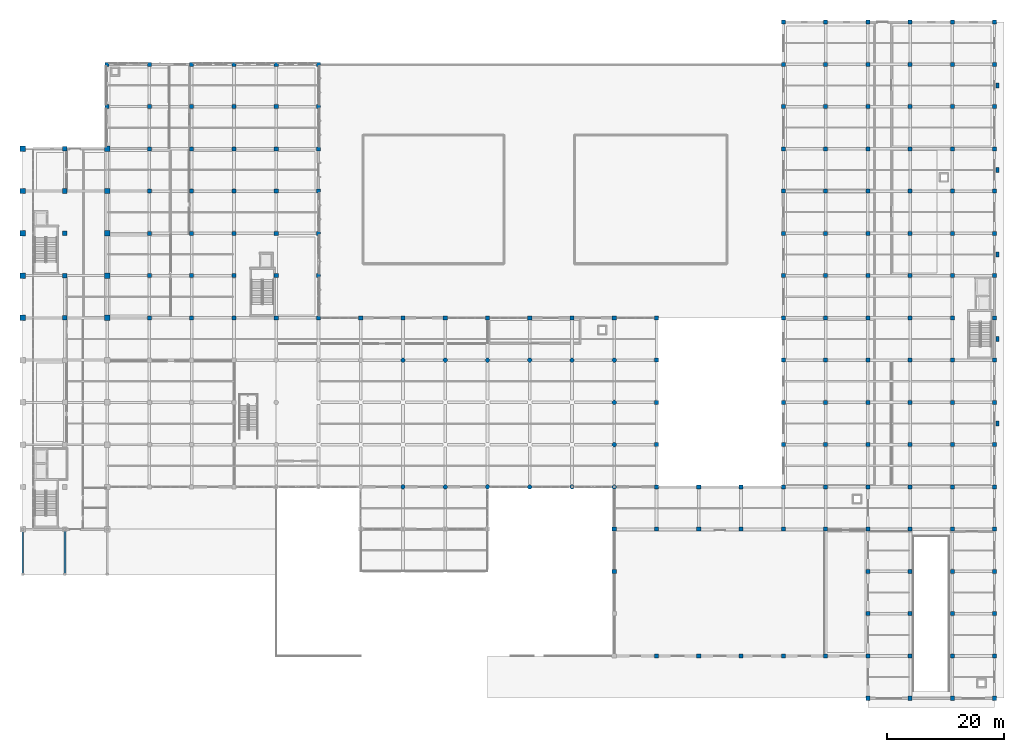
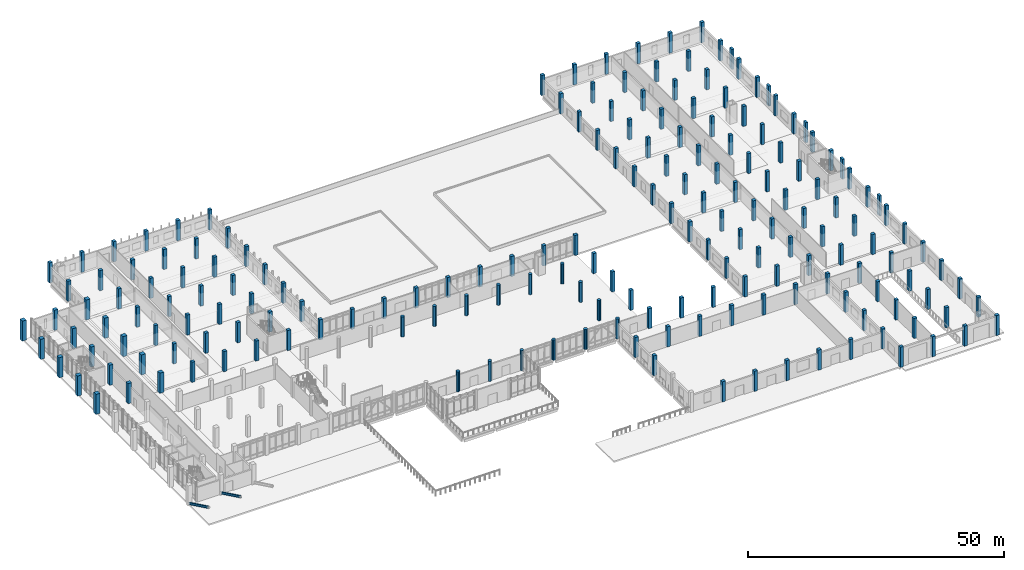
# One storey, part 6 of 59: 189 columns, 2 members.
"""IFC4 building model written with IfcOpenShell, lengths in metres."""

from ifc_helpers import new_model, si_unit, direction, frame, origin, origin_2d, place, context, subcontext, project, spatial, rectangle, circle, i_section, extrude, material, material_profile, profile_set, type_object, element, save


model = new_model("IFC4")

# Units and contexts
model_context = context("Model", 3, precision=1e-05, world=origin(), true_north=direction((0.0, 1.0)))
body_context = subcontext(model_context, "Body", "Model", "MODEL_VIEW")
ifc_project = project(units=[si_unit("LENGTHUNIT", "METRE"), si_unit("AREAUNIT", "SQUARE_METRE"), si_unit("VOLUMEUNIT", "CUBIC_METRE"), si_unit("PLANEANGLEUNIT", "RADIAN"), si_unit("MASSUNIT", "GRAM", prefix="KILO")], contexts=[model_context])

# Site, building, storey
site_placement = place(None, origin())
site = spatial("IfcSite", under=ifc_project, at=site_placement, CompositionType="ELEMENT")
building_placement = place(site_placement, origin())
building = spatial("IfcBuilding", under=site, at=building_placement, Name="Valkovuoma Quantum and Materials Research Institute", CompositionType="ELEMENT")
storey_placement = place(building_placement, origin())
storey = spatial("IfcBuildingStorey", under=building, at=storey_placement, Name="L00", CompositionType="ELEMENT", Elevation=0.0)

# Columns
ifc_material_1 = material(Name="Concrete C40/50", Category="concrete")
ifc_material_profile_1 = material_profile(ifc_material_1, rectangle(XDim=0.5, YDim=0.89990234375, at=origin_2d()), Name="Concrete C40/50")
ifc_profile_set_1 = profile_set([ifc_material_profile_1], Name="Concrete C40/50")
column_type_1 = type_object("IfcColumnType", Name="Col-C-PIL900", PredefinedType="PILASTER", material=ifc_profile_set_1)
for number, where, z_axis, x_axis, name in (
    (1, (166.080078125, 46.800048828125, 0.0), (0.0, 0.0, 1.0), (1.0, 0.0, 0.0), "L00 service spine pilaster 01"),
    (2, (166.080078125, 61.199951171875, 0.0), (0.0, 0.0, 1.0), (1.0, 0.0, 0.0), "L00 service spine pilaster 02"),
    (3, (166.080078125, 75.60009765625, 0.0), (0.0, 0.0, 1.0), (1.0, 0.0, 0.0), "L00 service spine pilaster 03"),
    (4, (166.080078125, 90.0, 0.0), (0.0, 0.0, 1.0), (1.0, 0.0, 0.0), "L00 service spine pilaster 04"),
    (5, (166.080078125, 104.39990234375, 0.0), (0.0, 0.0, 1.0), (1.0, 0.0, 0.0), "L00 service spine pilaster 05"),
):
    element("IfcColumn", number, at=place(storey_placement, frame(where, z_axis=z_axis, x_axis=x_axis)), inside=storey, type_object=column_type_1, Name=name, PredefinedType="PILASTER", context=body_context, shape_type="SweptSolid", body=[
        extrude(rectangle(XDim=0.5, YDim=0.89990234375, at=origin_2d()), origin(), (0.0, 0.0, 1.0), 4.800048828125),
    ])
ifc_material_2 = material(Name="Concrete C40/50", Category="concrete")
ifc_material_profile_2 = material_profile(ifc_material_2, rectangle(XDim=0.699951171875, YDim=0.699951171875, at=origin_2d()), Name="Concrete C40/50")
ifc_profile_set_2 = profile_set([ifc_material_profile_2], Name="Concrete C40/50")
column_type_2 = type_object("IfcColumnType", Name="Col-C-RC700", PredefinedType="COLUMN", material=ifc_profile_set_2)
for number, where, z_axis, x_axis, name in (
    (6, (14.39990234375, 100.800048828125, 0.0), (0.0, 0.0, 1.0), (1.0, 0.0, 0.0), "L00 column 03Q"),
    (7, (14.39990234375, 108.0, 0.0), (0.0, 0.0, 1.0), (1.0, 0.0, 0.0), "L00 column 03R"),
    (8, (21.60009765625, 64.800048828125, 0.0), (0.0, 0.0, 1.0), (1.0, 0.0, 0.0), "L00 column 04K"),
    (9, (21.60009765625, 72.0, 0.0), (0.0, 0.0, 1.0), (1.0, 0.0, 0.0), "L00 column 04L"),
    (10, (21.60009765625, 79.199951171875, 0.0), (0.0, 0.0, 1.0), (1.0, 0.0, 0.0), "L00 column 04M"),
    (11, (21.60009765625, 86.39990234375, 0.0), (0.0, 0.0, 1.0), (1.0, 0.0, 0.0), "L00 column 04N"),
    (12, (21.60009765625, 93.60009765625, 0.0), (0.0, 0.0, 1.0), (1.0, 0.0, 0.0), "L00 column 04P"),
    (13, (21.60009765625, 100.800048828125, 0.0), (0.0, 0.0, 1.0), (1.0, 0.0, 0.0), "L00 column 04Q"),
    (14, (21.60009765625, 108.0, 0.0), (0.0, 0.0, 1.0), (1.0, 0.0, 0.0), "L00 column 04R"),
    (15, (28.800048828125, 64.800048828125, 0.0), (0.0, 0.0, 1.0), (1.0, 0.0, 0.0), "L00 column 05K"),
    (16, (28.800048828125, 72.0, 0.0), (0.0, 0.0, 1.0), (1.0, 0.0, 0.0), "L00 column 05L"),
    (17, (28.800048828125, 79.199951171875, 0.0), (0.0, 0.0, 1.0), (1.0, 0.0, 0.0), "L00 column 05M"),
    (18, (28.800048828125, 86.39990234375, 0.0), (0.0, 0.0, 1.0), (1.0, 0.0, 0.0), "L00 column 05N"),
    (19, (28.800048828125, 93.60009765625, 0.0), (0.0, 0.0, 1.0), (1.0, 0.0, 0.0), "L00 column 05P"),
    (20, (28.800048828125, 100.800048828125, 0.0), (0.0, 0.0, 1.0), (1.0, 0.0, 0.0), "L00 column 05Q"),
    (21, (28.800048828125, 108.0, 0.0), (0.0, 0.0, 1.0), (1.0, 0.0, 0.0), "L00 column 05R"),
    (22, (36.0, 64.800048828125, 0.0), (0.0, 0.0, 1.0), (1.0, 0.0, 0.0), "L00 column 06K"),
    (23, (36.0, 72.0, 0.0), (0.0, 0.0, 1.0), (1.0, 0.0, 0.0), "L00 column 06L"),
    (24, (36.0, 79.199951171875, 0.0), (0.0, 0.0, 1.0), (1.0, 0.0, 0.0), "L00 column 06M"),
    (25, (36.0, 86.39990234375, 0.0), (0.0, 0.0, 1.0), (1.0, 0.0, 0.0), "L00 column 06N"),
    (26, (36.0, 93.60009765625, 0.0), (0.0, 0.0, 1.0), (1.0, 0.0, 0.0), "L00 column 06P"),
    (27, (36.0, 100.800048828125, 0.0), (0.0, 0.0, 1.0), (1.0, 0.0, 0.0), "L00 column 06Q"),
    (28, (36.0, 108.0, 0.0), (0.0, 0.0, 1.0), (1.0, 0.0, 0.0), "L00 column 06R"),
    (29, (43.199951171875, 64.800048828125, 0.0), (0.0, 0.0, 1.0), (1.0, 0.0, 0.0), "L00 column 07K"),
    (30, (43.199951171875, 72.0, 0.0), (0.0, 0.0, 1.0), (1.0, 0.0, 0.0), "L00 column 07L"),
    (31, (43.199951171875, 79.199951171875, 0.0), (0.0, 0.0, 1.0), (1.0, 0.0, 0.0), "L00 column 07M"),
    (32, (43.199951171875, 86.39990234375, 0.0), (0.0, 0.0, 1.0), (1.0, 0.0, 0.0), "L00 column 07N"),
    (33, (43.199951171875, 93.60009765625, 0.0), (0.0, 0.0, 1.0), (1.0, 0.0, 0.0), "L00 column 07P"),
    (34, (43.199951171875, 100.800048828125, 0.0), (0.0, 0.0, 1.0), (1.0, 0.0, 0.0), "L00 column 07Q"),
    (35, (43.199951171875, 108.0, 0.0), (0.0, 0.0, 1.0), (1.0, 0.0, 0.0), "L00 column 07R"),
    (36, (50.39990234375, 64.800048828125, 0.0), (0.0, 0.0, 1.0), (1.0, 0.0, 0.0), "L00 column 08K"),
    (37, (50.39990234375, 72.0, 0.0), (0.0, 0.0, 1.0), (1.0, 0.0, 0.0), "L00 column 08L"),
    (38, (50.39990234375, 79.199951171875, 0.0), (0.0, 0.0, 1.0), (1.0, 0.0, 0.0), "L00 column 08M"),
    (39, (50.39990234375, 86.39990234375, 0.0), (0.0, 0.0, 1.0), (1.0, 0.0, 0.0), "L00 column 08N"),
    (40, (50.39990234375, 93.60009765625, 0.0), (0.0, 0.0, 1.0), (1.0, 0.0, 0.0), "L00 column 08P"),
    (41, (50.39990234375, 100.800048828125, 0.0), (0.0, 0.0, 1.0), (1.0, 0.0, 0.0), "L00 column 08Q"),
    (42, (50.39990234375, 108.0, 0.0), (0.0, 0.0, 1.0), (1.0, 0.0, 0.0), "L00 column 08R"),
    (43, (57.60009765625, 64.800048828125, 0.0), (0.0, 0.0, 1.0), (1.0, 0.0, 0.0), "L00 column 09K"),
    (44, (64.800048828125, 64.800048828125, 0.0), (0.0, 0.0, 1.0), (1.0, 0.0, 0.0), "L00 column 10K"),
    (45, (72.0, 64.800048828125, 0.0), (0.0, 0.0, 1.0), (1.0, 0.0, 0.0), "L00 column 11K"),
    (46, (79.199951171875, 64.800048828125, 0.0), (0.0, 0.0, 1.0), (1.0, 0.0, 0.0), "L00 column 12K"),
    (47, (86.39990234375, 64.800048828125, 0.0), (0.0, 0.0, 1.0), (1.0, 0.0, 0.0), "L00 column 13K"),
    (48, (93.60009765625, 64.800048828125, 0.0), (0.0, 0.0, 1.0), (1.0, 0.0, 0.0), "L00 column 14K"),
    (49, (100.800048828125, 21.60009765625, 0.0), (0.0, 0.0, 1.0), (1.0, 0.0, 0.0), "L00 column 15D"),
    (50, (100.800048828125, 28.800048828125, 0.0), (0.0, 0.0, 1.0), (1.0, 0.0, 0.0), "L00 column 15E"),
    (51, (100.800048828125, 64.800048828125, 0.0), (0.0, 0.0, 1.0), (1.0, 0.0, 0.0), "L00 column 15K"),
    (52, (108.0, 7.199951171875, 0.0), (0.0, 0.0, 1.0), (1.0, 0.0, 0.0), "L00 column 16B"),
    (53, (108.0, 28.800048828125, 0.0), (0.0, 0.0, 1.0), (1.0, 0.0, 0.0), "L00 column 16E"),
    (54, (108.0, 36.0, 0.0), (0.0, 0.0, 1.0), (1.0, 0.0, 0.0), "L00 column 16F"),
    (55, (108.0, 43.199951171875, 0.0), (0.0, 0.0, 1.0), (1.0, 0.0, 0.0), "L00 column 16G"),
    (56, (108.0, 50.39990234375, 0.0), (0.0, 0.0, 1.0), (1.0, 0.0, 0.0), "L00 column 16H"),
    (57, (108.0, 57.60009765625, 0.0), (0.0, 0.0, 1.0), (1.0, 0.0, 0.0), "L00 column 16J"),
    (58, (108.0, 64.800048828125, 0.0), (0.0, 0.0, 1.0), (1.0, 0.0, 0.0), "L00 column 16K"),
    (59, (115.199951171875, 7.199951171875, 0.0), (0.0, 0.0, 1.0), (1.0, 0.0, 0.0), "L00 column 17B"),
    (60, (115.199951171875, 28.800048828125, 0.0), (0.0, 0.0, 1.0), (1.0, 0.0, 0.0), "L00 column 17E"),
    (61, (115.199951171875, 36.0, 0.0), (0.0, 0.0, 1.0), (1.0, 0.0, 0.0), "L00 column 17F"),
    (62, (122.39990234375, 7.199951171875, 0.0), (0.0, 0.0, 1.0), (1.0, 0.0, 0.0), "L00 column 18B"),
    (63, (122.39990234375, 28.800048828125, 0.0), (0.0, 0.0, 1.0), (1.0, 0.0, 0.0), "L00 column 18E"),
    (64, (122.39990234375, 36.0, 0.0), (0.0, 0.0, 1.0), (1.0, 0.0, 0.0), "L00 column 18F"),
    (65, (129.60009765625, 7.199951171875, 0.0), (0.0, 0.0, 1.0), (1.0, 0.0, 0.0), "L00 column 19B"),
    (66, (129.60009765625, 28.800048828125, 0.0), (0.0, 0.0, 1.0), (1.0, 0.0, 0.0), "L00 column 19E"),
    (67, (129.60009765625, 36.0, 0.0), (0.0, 0.0, 1.0), (1.0, 0.0, 0.0), "L00 column 19F"),
    (68, (129.60009765625, 43.199951171875, 0.0), (0.0, 0.0, 1.0), (1.0, 0.0, 0.0), "L00 column 19G"),
    (69, (129.60009765625, 50.39990234375, 0.0), (0.0, 0.0, 1.0), (1.0, 0.0, 0.0), "L00 column 19H"),
    (70, (129.60009765625, 57.60009765625, 0.0), (0.0, 0.0, 1.0), (1.0, 0.0, 0.0), "L00 column 19J"),
    (71, (129.60009765625, 64.800048828125, 0.0), (0.0, 0.0, 1.0), (1.0, 0.0, 0.0), "L00 column 19K"),
    (72, (129.60009765625, 72.0, 0.0), (0.0, 0.0, 1.0), (1.0, 0.0, 0.0), "L00 column 19L"),
    (73, (129.60009765625, 79.199951171875, 0.0), (0.0, 0.0, 1.0), (1.0, 0.0, 0.0), "L00 column 19M"),
    (74, (129.60009765625, 86.39990234375, 0.0), (0.0, 0.0, 1.0), (1.0, 0.0, 0.0), "L00 column 19N"),
    (75, (129.60009765625, 93.60009765625, 0.0), (0.0, 0.0, 1.0), (1.0, 0.0, 0.0), "L00 column 19P"),
    (76, (129.60009765625, 100.800048828125, 0.0), (0.0, 0.0, 1.0), (1.0, 0.0, 0.0), "L00 column 19Q"),
    (77, (129.60009765625, 108.0, 0.0), (0.0, 0.0, 1.0), (1.0, 0.0, 0.0), "L00 column 19R"),
    (78, (129.60009765625, 115.199951171875, 0.0), (0.0, 0.0, 1.0), (1.0, 0.0, 0.0), "L00 column 19S"),
    (79, (136.800048828125, 7.199951171875, 0.0), (0.0, 0.0, 1.0), (1.0, 0.0, 0.0), "L00 column 20B"),
    (80, (136.800048828125, 28.800048828125, 0.0), (0.0, 0.0, 1.0), (1.0, 0.0, 0.0), "L00 column 20E"),
    (81, (136.800048828125, 36.0, 0.0), (0.0, 0.0, 1.0), (1.0, 0.0, 0.0), "L00 column 20F"),
    (82, (136.800048828125, 43.199951171875, 0.0), (0.0, 0.0, 1.0), (1.0, 0.0, 0.0), "L00 column 20G"),
    (83, (136.800048828125, 50.39990234375, 0.0), (0.0, 0.0, 1.0), (1.0, 0.0, 0.0), "L00 column 20H"),
    (84, (136.800048828125, 57.60009765625, 0.0), (0.0, 0.0, 1.0), (1.0, 0.0, 0.0), "L00 column 20J"),
    (85, (136.800048828125, 64.800048828125, 0.0), (0.0, 0.0, 1.0), (1.0, 0.0, 0.0), "L00 column 20K"),
    (86, (136.800048828125, 72.0, 0.0), (0.0, 0.0, 1.0), (1.0, 0.0, 0.0), "L00 column 20L"),
    (87, (136.800048828125, 79.199951171875, 0.0), (0.0, 0.0, 1.0), (1.0, 0.0, 0.0), "L00 column 20M"),
    (88, (136.800048828125, 86.39990234375, 0.0), (0.0, 0.0, 1.0), (1.0, 0.0, 0.0), "L00 column 20N"),
    (89, (136.800048828125, 93.60009765625, 0.0), (0.0, 0.0, 1.0), (1.0, 0.0, 0.0), "L00 column 20P"),
    (90, (136.800048828125, 100.800048828125, 0.0), (0.0, 0.0, 1.0), (1.0, 0.0, 0.0), "L00 column 20Q"),
    (91, (136.800048828125, 108.0, 0.0), (0.0, 0.0, 1.0), (1.0, 0.0, 0.0), "L00 column 20R"),
    (92, (136.800048828125, 115.199951171875, 0.0), (0.0, 0.0, 1.0), (1.0, 0.0, 0.0), "L00 column 20S"),
    (93, (144.0, 0.0, 0.0), (0.0, 0.0, 1.0), (1.0, 0.0, 0.0), "L00 column 21A"),
    (94, (144.0, 7.199951171875, 0.0), (0.0, 0.0, 1.0), (1.0, 0.0, 0.0), "L00 column 21B"),
    (95, (144.0, 14.39990234375, 0.0), (0.0, 0.0, 1.0), (1.0, 0.0, 0.0), "L00 column 21C"),
    (96, (144.0, 21.60009765625, 0.0), (0.0, 0.0, 1.0), (1.0, 0.0, 0.0), "L00 column 21D"),
    (97, (144.0, 28.800048828125, 0.0), (0.0, 0.0, 1.0), (1.0, 0.0, 0.0), "L00 column 21E"),
    (98, (144.0, 36.0, 0.0), (0.0, 0.0, 1.0), (1.0, 0.0, 0.0), "L00 column 21F"),
    (99, (144.0, 43.199951171875, 0.0), (0.0, 0.0, 1.0), (1.0, 0.0, 0.0), "L00 column 21G"),
    (100, (144.0, 50.39990234375, 0.0), (0.0, 0.0, 1.0), (1.0, 0.0, 0.0), "L00 column 21H"),
    (101, (144.0, 57.60009765625, 0.0), (0.0, 0.0, 1.0), (1.0, 0.0, 0.0), "L00 column 21J"),
    (102, (144.0, 64.800048828125, 0.0), (0.0, 0.0, 1.0), (1.0, 0.0, 0.0), "L00 column 21K"),
    (103, (144.0, 72.0, 0.0), (0.0, 0.0, 1.0), (1.0, 0.0, 0.0), "L00 column 21L"),
    (104, (144.0, 79.199951171875, 0.0), (0.0, 0.0, 1.0), (1.0, 0.0, 0.0), "L00 column 21M"),
    (105, (144.0, 86.39990234375, 0.0), (0.0, 0.0, 1.0), (1.0, 0.0, 0.0), "L00 column 21N"),
    (106, (144.0, 93.60009765625, 0.0), (0.0, 0.0, 1.0), (1.0, 0.0, 0.0), "L00 column 21P"),
    (107, (144.0, 100.800048828125, 0.0), (0.0, 0.0, 1.0), (1.0, 0.0, 0.0), "L00 column 21Q"),
    (108, (144.0, 108.0, 0.0), (0.0, 0.0, 1.0), (1.0, 0.0, 0.0), "L00 column 21R"),
    (109, (144.0, 115.199951171875, 0.0), (0.0, 0.0, 1.0), (1.0, 0.0, 0.0), "L00 column 21S"),
    (110, (151.199951171875, 0.0, 0.0), (0.0, 0.0, 1.0), (1.0, 0.0, 0.0), "L00 column 22A"),
    (111, (151.199951171875, 7.199951171875, 0.0), (0.0, 0.0, 1.0), (1.0, 0.0, 0.0), "L00 column 22B"),
    (112, (151.199951171875, 14.39990234375, 0.0), (0.0, 0.0, 1.0), (1.0, 0.0, 0.0), "L00 column 22C"),
    (113, (151.199951171875, 21.60009765625, 0.0), (0.0, 0.0, 1.0), (1.0, 0.0, 0.0), "L00 column 22D"),
    (114, (151.199951171875, 28.800048828125, 0.0), (0.0, 0.0, 1.0), (1.0, 0.0, 0.0), "L00 column 22E"),
    (115, (151.199951171875, 36.0, 0.0), (0.0, 0.0, 1.0), (1.0, 0.0, 0.0), "L00 column 22F"),
    (116, (151.199951171875, 43.199951171875, 0.0), (0.0, 0.0, 1.0), (1.0, 0.0, 0.0), "L00 column 22G"),
    (117, (151.199951171875, 50.39990234375, 0.0), (0.0, 0.0, 1.0), (1.0, 0.0, 0.0), "L00 column 22H"),
    (118, (151.199951171875, 57.60009765625, 0.0), (0.0, 0.0, 1.0), (1.0, 0.0, 0.0), "L00 column 22J"),
    (119, (151.199951171875, 64.800048828125, 0.0), (0.0, 0.0, 1.0), (1.0, 0.0, 0.0), "L00 column 22K"),
    (120, (151.199951171875, 72.0, 0.0), (0.0, 0.0, 1.0), (1.0, 0.0, 0.0), "L00 column 22L"),
    (121, (151.199951171875, 79.199951171875, 0.0), (0.0, 0.0, 1.0), (1.0, 0.0, 0.0), "L00 column 22M"),
    (122, (151.199951171875, 86.39990234375, 0.0), (0.0, 0.0, 1.0), (1.0, 0.0, 0.0), "L00 column 22N"),
    (123, (151.199951171875, 93.60009765625, 0.0), (0.0, 0.0, 1.0), (1.0, 0.0, 0.0), "L00 column 22P"),
    (124, (151.199951171875, 100.800048828125, 0.0), (0.0, 0.0, 1.0), (1.0, 0.0, 0.0), "L00 column 22Q"),
    (125, (151.199951171875, 108.0, 0.0), (0.0, 0.0, 1.0), (1.0, 0.0, 0.0), "L00 column 22R"),
    (126, (151.199951171875, 115.199951171875, 0.0), (0.0, 0.0, 1.0), (1.0, 0.0, 0.0), "L00 column 22S"),
    (127, (158.39990234375, 0.0, 0.0), (0.0, 0.0, 1.0), (1.0, 0.0, 0.0), "L00 column 23A"),
    (128, (158.39990234375, 7.199951171875, 0.0), (0.0, 0.0, 1.0), (1.0, 0.0, 0.0), "L00 column 23B"),
    (129, (158.39990234375, 14.39990234375, 0.0), (0.0, 0.0, 1.0), (1.0, 0.0, 0.0), "L00 column 23C"),
    (130, (158.39990234375, 21.60009765625, 0.0), (0.0, 0.0, 1.0), (1.0, 0.0, 0.0), "L00 column 23D"),
    (131, (158.39990234375, 28.800048828125, 0.0), (0.0, 0.0, 1.0), (1.0, 0.0, 0.0), "L00 column 23E"),
    (132, (158.39990234375, 36.0, 0.0), (0.0, 0.0, 1.0), (1.0, 0.0, 0.0), "L00 column 23F"),
    (133, (158.39990234375, 43.199951171875, 0.0), (0.0, 0.0, 1.0), (1.0, 0.0, 0.0), "L00 column 23G"),
    (134, (158.39990234375, 50.39990234375, 0.0), (0.0, 0.0, 1.0), (1.0, 0.0, 0.0), "L00 column 23H"),
    (135, (158.39990234375, 57.60009765625, 0.0), (0.0, 0.0, 1.0), (1.0, 0.0, 0.0), "L00 column 23J"),
    (136, (158.39990234375, 64.800048828125, 0.0), (0.0, 0.0, 1.0), (1.0, 0.0, 0.0), "L00 column 23K"),
    (137, (158.39990234375, 72.0, 0.0), (0.0, 0.0, 1.0), (1.0, 0.0, 0.0), "L00 column 23L"),
    (138, (158.39990234375, 79.199951171875, 0.0), (0.0, 0.0, 1.0), (1.0, 0.0, 0.0), "L00 column 23M"),
    (139, (158.39990234375, 86.39990234375, 0.0), (0.0, 0.0, 1.0), (1.0, 0.0, 0.0), "L00 column 23N"),
    (140, (158.39990234375, 93.60009765625, 0.0), (0.0, 0.0, 1.0), (1.0, 0.0, 0.0), "L00 column 23P"),
    (141, (158.39990234375, 100.800048828125, 0.0), (0.0, 0.0, 1.0), (1.0, 0.0, 0.0), "L00 column 23Q"),
    (142, (158.39990234375, 108.0, 0.0), (0.0, 0.0, 1.0), (1.0, 0.0, 0.0), "L00 column 23R"),
    (143, (158.39990234375, 115.199951171875, 0.0), (0.0, 0.0, 1.0), (1.0, 0.0, 0.0), "L00 column 23S"),
    (144, (165.60009765625, 0.0, 0.0), (0.0, 0.0, 1.0), (1.0, 0.0, 0.0), "L00 column 24A"),
    (145, (165.60009765625, 7.199951171875, 0.0), (0.0, 0.0, 1.0), (1.0, 0.0, 0.0), "L00 column 24B"),
    (146, (165.60009765625, 14.39990234375, 0.0), (0.0, 0.0, 1.0), (1.0, 0.0, 0.0), "L00 column 24C"),
    (147, (165.60009765625, 21.60009765625, 0.0), (0.0, 0.0, 1.0), (1.0, 0.0, 0.0), "L00 column 24D"),
    (148, (165.60009765625, 28.800048828125, 0.0), (0.0, 0.0, 1.0), (1.0, 0.0, 0.0), "L00 column 24E"),
    (149, (165.60009765625, 36.0, 0.0), (0.0, 0.0, 1.0), (1.0, 0.0, 0.0), "L00 column 24F"),
    (150, (165.60009765625, 43.199951171875, 0.0), (0.0, 0.0, 1.0), (1.0, 0.0, 0.0), "L00 column 24G"),
    (151, (165.60009765625, 50.39990234375, 0.0), (0.0, 0.0, 1.0), (1.0, 0.0, 0.0), "L00 column 24H"),
    (152, (165.60009765625, 57.60009765625, 0.0), (0.0, 0.0, 1.0), (1.0, 0.0, 0.0), "L00 column 24J"),
    (153, (165.60009765625, 64.800048828125, 0.0), (0.0, 0.0, 1.0), (1.0, 0.0, 0.0), "L00 column 24K"),
    (154, (165.60009765625, 72.0, 0.0), (0.0, 0.0, 1.0), (1.0, 0.0, 0.0), "L00 column 24L"),
    (155, (165.60009765625, 79.199951171875, 0.0), (0.0, 0.0, 1.0), (1.0, 0.0, 0.0), "L00 column 24M"),
    (156, (165.60009765625, 86.39990234375, 0.0), (0.0, 0.0, 1.0), (1.0, 0.0, 0.0), "L00 column 24N"),
    (157, (165.60009765625, 93.60009765625, 0.0), (0.0, 0.0, 1.0), (1.0, 0.0, 0.0), "L00 column 24P"),
    (158, (165.60009765625, 100.800048828125, 0.0), (0.0, 0.0, 1.0), (1.0, 0.0, 0.0), "L00 column 24Q"),
    (159, (165.60009765625, 108.0, 0.0), (0.0, 0.0, 1.0), (1.0, 0.0, 0.0), "L00 column 24R"),
    (160, (165.60009765625, 115.199951171875, 0.0), (0.0, 0.0, 1.0), (1.0, 0.0, 0.0), "L00 column 24S"),
):
    element("IfcColumn", number, at=place(storey_placement, frame(where, z_axis=z_axis, x_axis=x_axis)), inside=storey, type_object=column_type_2, Name=name, PredefinedType="COLUMN", context=body_context, shape_type="SweptSolid", body=[
        extrude(rectangle(XDim=0.699951171875, YDim=0.699951171875, at=origin_2d()), origin(), (0.0, 0.0, 1.0), 4.800048828125),
    ])
ifc_material_3 = material(Name="Concrete C50/60", Category="concrete")
ifc_material_profile_3 = material_profile(ifc_material_3, rectangle(XDim=0.800048828125, YDim=0.800048828125, at=origin_2d()), Name="Concrete C50/60")
ifc_profile_set_3 = profile_set([ifc_material_profile_3], Name="Concrete C50/60")
column_type_3 = type_object("IfcColumnType", Name="Col-C-RC800", PredefinedType="COLUMN", material=ifc_profile_set_3)
for number, where, z_axis, x_axis, name in (
    (161, (7.199951171875, 64.800048828125, 0.0), (0.0, 0.0, 1.0), (1.0, 0.0, 0.0), "L00 column 02K"),
    (162, (7.199951171875, 72.0, 0.0), (0.0, 0.0, 1.0), (1.0, 0.0, 0.0), "L00 column 02L"),
    (163, (7.199951171875, 79.199951171875, 0.0), (0.0, 0.0, 1.0), (1.0, 0.0, 0.0), "L00 column 02M"),
    (164, (7.199951171875, 86.39990234375, 0.0), (0.0, 0.0, 1.0), (1.0, 0.0, 0.0), "L00 column 02N"),
    (165, (7.199951171875, 93.60009765625, 0.0), (0.0, 0.0, 1.0), (1.0, 0.0, 0.0), "L00 column 02P"),
):
    element("IfcColumn", number, at=place(storey_placement, frame(where, z_axis=z_axis, x_axis=x_axis)), inside=storey, type_object=column_type_3, Name=name, PredefinedType="COLUMN", context=body_context, shape_type="SweptSolid", body=[
        extrude(rectangle(XDim=0.800048828125, YDim=0.800048828125, at=origin_2d()), origin(), (0.0, 0.0, 1.0), 4.800048828125),
    ])
ifc_material_4 = material(Name="Concrete C50/60", Category="concrete")
ifc_material_profile_4 = material_profile(ifc_material_4, rectangle(XDim=0.89990234375, YDim=0.89990234375, at=origin_2d()), Name="Concrete C50/60")
ifc_profile_set_4 = profile_set([ifc_material_profile_4], Name="Concrete C50/60")
column_type_4 = type_object("IfcColumnType", Name="Col-C-RC900", PredefinedType="COLUMN", material=ifc_profile_set_4)
for number, where, z_axis, x_axis, name in (
    (166, (0.0, 64.800048828125, 0.0), (0.0, 0.0, 1.0), (1.0, 0.0, 0.0), "L00 column 01K"),
    (167, (0.0, 72.0, 0.0), (0.0, 0.0, 1.0), (1.0, 0.0, 0.0), "L00 column 01L"),
    (168, (0.0, 79.199951171875, 0.0), (0.0, 0.0, 1.0), (1.0, 0.0, 0.0), "L00 column 01M"),
    (169, (0.0, 86.39990234375, 0.0), (0.0, 0.0, 1.0), (1.0, 0.0, 0.0), "L00 column 01N"),
    (170, (0.0, 93.60009765625, 0.0), (0.0, 0.0, 1.0), (1.0, 0.0, 0.0), "L00 column 01P"),
    (171, (14.39990234375, 64.800048828125, 0.0), (0.0, 0.0, 1.0), (1.0, 0.0, 0.0), "L00 column 03K"),
    (172, (14.39990234375, 72.0, 0.0), (0.0, 0.0, 1.0), (1.0, 0.0, 0.0), "L00 column 03L"),
    (173, (14.39990234375, 79.199951171875, 0.0), (0.0, 0.0, 1.0), (1.0, 0.0, 0.0), "L00 column 03M"),
    (174, (14.39990234375, 86.39990234375, 0.0), (0.0, 0.0, 1.0), (1.0, 0.0, 0.0), "L00 column 03N"),
    (175, (14.39990234375, 93.60009765625, 0.0), (0.0, 0.0, 1.0), (1.0, 0.0, 0.0), "L00 column 03P"),
):
    element("IfcColumn", number, at=place(storey_placement, frame(where, z_axis=z_axis, x_axis=x_axis)), inside=storey, type_object=column_type_4, Name=name, PredefinedType="COLUMN", context=body_context, shape_type="SweptSolid", body=[
        extrude(rectangle(XDim=0.89990234375, YDim=0.89990234375, at=origin_2d()), origin(), (0.0, 0.0, 1.0), 4.800048828125),
    ])
ifc_material_5 = material(Name="Concrete C50/60", Category="concrete")
ifc_material_profile_5 = material_profile(ifc_material_5, circle(Radius=0.375, at=origin_2d()), Name="Concrete C50/60")
ifc_profile_set_5 = profile_set([ifc_material_profile_5], Name="Concrete C50/60")
column_type_5 = type_object("IfcColumnType", Name="Col-C-RCD750", PredefinedType="COLUMN", material=ifc_profile_set_5)
for number, where, z_axis, x_axis, name in (
    (176, (64.800048828125, 36.0, 0.0), (0.0, 0.0, 1.0), (1.0, 0.0, 0.0), "L00 column 10F"),
    (177, (64.800048828125, 57.60009765625, 0.0), (0.0, 0.0, 1.0), (1.0, 0.0, 0.0), "L00 column 10J"),
    (178, (72.0, 36.0, 0.0), (0.0, 0.0, 1.0), (1.0, 0.0, 0.0), "L00 column 11F"),
    (179, (72.0, 57.60009765625, 0.0), (0.0, 0.0, 1.0), (1.0, 0.0, 0.0), "L00 column 11J"),
    (180, (79.199951171875, 36.0, 0.0), (0.0, 0.0, 1.0), (1.0, 0.0, 0.0), "L00 column 12F"),
    (181, (79.199951171875, 57.60009765625, 0.0), (0.0, 0.0, 1.0), (1.0, 0.0, 0.0), "L00 column 12J"),
    (182, (86.39990234375, 36.0, 0.0), (0.0, 0.0, 1.0), (1.0, 0.0, 0.0), "L00 column 13F"),
    (183, (86.39990234375, 57.60009765625, 0.0), (0.0, 0.0, 1.0), (1.0, 0.0, 0.0), "L00 column 13J"),
    (184, (93.60009765625, 36.0, 0.0), (0.0, 0.0, 1.0), (1.0, 0.0, 0.0), "L00 column 14F"),
    (185, (93.60009765625, 57.60009765625, 0.0), (0.0, 0.0, 1.0), (1.0, 0.0, 0.0), "L00 column 14J"),
    (186, (100.800048828125, 36.0, 0.0), (0.0, 0.0, 1.0), (1.0, 0.0, 0.0), "L00 column 15F"),
    (187, (100.800048828125, 43.199951171875, 0.0), (0.0, 0.0, 1.0), (1.0, 0.0, 0.0), "L00 column 15G"),
    (188, (100.800048828125, 50.39990234375, 0.0), (0.0, 0.0, 1.0), (1.0, 0.0, 0.0), "L00 column 15H"),
    (189, (100.800048828125, 57.60009765625, 0.0), (0.0, 0.0, 1.0), (1.0, 0.0, 0.0), "L00 column 15J"),
):
    element("IfcColumn", number, at=place(storey_placement, frame(where, z_axis=z_axis, x_axis=x_axis)), inside=storey, type_object=column_type_5, Name=name, PredefinedType="COLUMN", context=body_context, shape_type="SweptSolid", body=[
        extrude(circle(Radius=0.375, at=origin_2d()), origin(), (0.0, 0.0, 1.0), 4.800048828125),
    ])

# Members
ifc_material_6 = material(Name="Steel S355J2", Category="steel")
ifc_material_profile_6 = material_profile(ifc_material_6, i_section(OverallWidth=0.300048828125, OverallDepth=0.5, WebThickness=0.014404296875, FlangeThickness=0.028076171875, FilletRadius=0.027099609375, at=origin_2d()), Name="Steel S355J2")
ifc_profile_set_6 = profile_set([ifc_material_profile_6], Name="Steel S355J2")
member_type = type_object("IfcMemberType", Name="Mem-M-CHD500", PredefinedType="CHORD", material=ifc_profile_set_6)
for number, where, z_axis, x_axis, name in (
    (190, (0.0, 28.800048828125, 0.25), (0.0, -0.900239175025, 0.435395713978), (1.0, 0.0, 0.0), "L00 cantilever raking strut 0"),
    (191, (7.199951171875, 28.800048828125, 0.25), (0.0, -0.900239175025, 0.435395713978), (1.0, 0.0, 0.0), "L00 cantilever raking strut 1"),
):
    element("IfcMember", number, at=place(storey_placement, frame(where, z_axis=z_axis, x_axis=x_axis)), inside=storey, type_object=member_type, Name=name, PredefinedType="CHORD", context=body_context, shape_type="SweptSolid", body=[
        extrude(i_section(OverallWidth=0.300048828125, OverallDepth=0.5, WebThickness=0.014404296875, FlangeThickness=0.028076171875, FilletRadius=0.027099609375, at=origin_2d()), origin(), (0.0, 0.0, 1.0), 8.497802734375),
    ])

save(model, "model.ifc")
